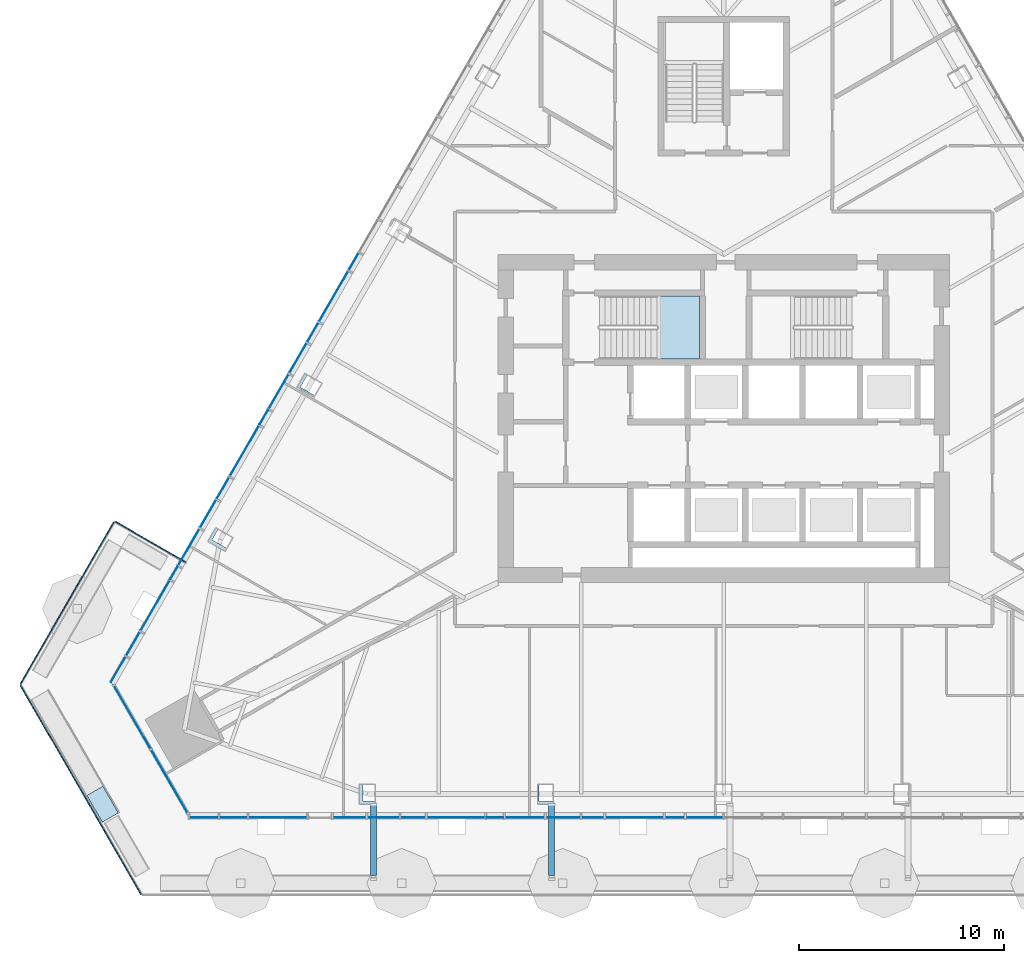
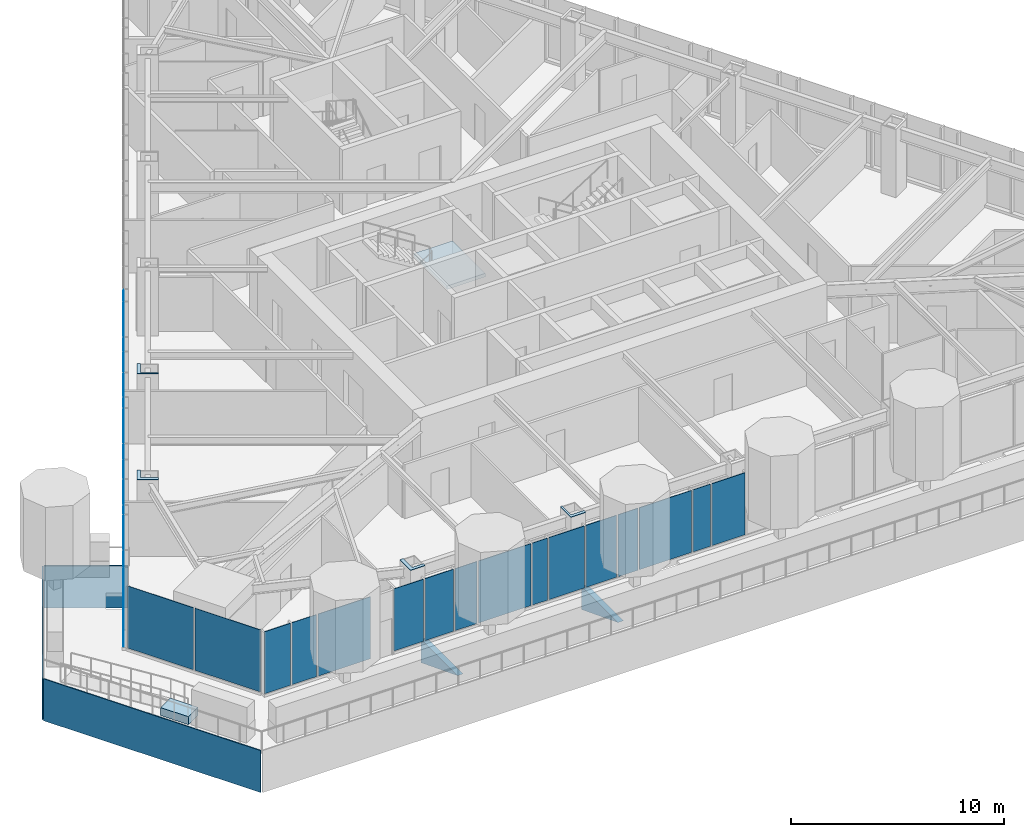
# One storey, part 9 of 24: 39 plates, 2 slabs, 4 elements without a shape of their own.
"""IFC4 building model written with IfcOpenShell, lengths in metres."""

from ifc_helpers import new_model, si_unit, direction, frame, origin, place, context, subcontext, project, spatial, polyline, outline, extrude, material, layer, layer_set, type_object, element, aggregate, save


model = new_model("IFC4")

# Units and contexts
model_context = context("Model", 3, precision=1e-05, world=origin(), true_north=direction((0.0, 1.0)))
body_context = subcontext(model_context, "Body", "Model", "MODEL_VIEW")
ifc_project = project(units=[si_unit("LENGTHUNIT", "METRE"), si_unit("AREAUNIT", "SQUARE_METRE"), si_unit("VOLUMEUNIT", "CUBIC_METRE"), si_unit("PLANEANGLEUNIT", "RADIAN"), si_unit("MASSUNIT", "GRAM", prefix="KILO")], contexts=[model_context])

# Site, building, storey
site_placement = place(None, origin())
site = spatial("IfcSite", under=ifc_project, at=site_placement, CompositionType="ELEMENT")
building_placement = place(site_placement, origin())
building = spatial("IfcBuilding", under=site, at=building_placement, Name="Firuza Gate Tower and Library", CompositionType="ELEMENT")
storey_placement = place(building_placement, frame((0.0, 0.0, 194.800048828125)))
storey = spatial("IfcBuildingStorey", under=building, at=storey_placement, Name="L45", CompositionType="ELEMENT", Elevation=194.800048828125)

# Plates
ifc_material_1 = material(Name="Steel S355", Category="steel")
ifc_layer_1 = layer(ifc_material_1, 0.030029296875)
ifc_layer_set_1 = layer_set([ifc_layer_1], Name="Column infill plate 30 Steel S355")
plate_type_1 = type_object("IfcPlateType", Name="Column infill plate 30 Steel S355", PredefinedType="SHEET", material=ifc_layer_set_1)
placement_1 = place(storey_placement, frame((0.0, 0.0, 3.89990234375)))
element("IfcPlate", 1, at=placement_1, inside=storey, type_object=plate_type_1, Name="Infill plate L45:S1", PredefinedType="SHEET", context=body_context, shape_type="SweptSolid", body=[
    extrude(outline(polyline([(58.0283203125, 56.198974609375), (58.0283203125, 56.3583984375), (57.41259765625, 56.3583984375), (57.41259765625, 57.198974609375), (57.228515625, 57.198974609375), (57.228515625, 56.198974609375), (58.0283203125, 56.198974609375)])), origin(), (0.0, 0.0, 1.0), 0.030029296875),
])
element("IfcPlate", 2, at=placement_1, inside=storey, type_object=plate_type_1, Name="Infill plate L45:S2", PredefinedType="SHEET", context=body_context, shape_type="SweptSolid", body=[
    extrude(outline(polyline([(66.714111328125, 56.198974609375), (66.714111328125, 56.3583984375), (66.00634765625, 56.3583984375), (66.00634765625, 57.198974609375), (65.914306640625, 57.198974609375), (65.914306640625, 56.198974609375), (66.714111328125, 56.198974609375)])), origin(), (0.0, 0.0, 1.0), 0.030029296875),
])
element("IfcPlate", 3, at=placement_1, inside=storey, type_object=plate_type_1, Name="Infill plate L45:W4", PredefinedType="SHEET", context=body_context, shape_type="SweptSolid", body=[
    extrude(outline(polyline([(55.040771484375, 76.031982421875), (55.0869140625, 76.11181640625), (54.35888671875, 76.531982421875), (54.712890625, 77.145263671875), (54.574951171875, 77.224853515625), (54.1748046875, 76.531982421875), (55.040771484375, 76.031982421875)])), origin(), (0.0, 0.0, 1.0), 0.030029296875),
])
element("IfcPlate", 4, at=placement_1, inside=storey, type_object=plate_type_1, Name="Infill plate L45:W5", PredefinedType="SHEET", context=body_context, shape_type="SweptSolid", body=[
    extrude(outline(polyline([(50.697998046875, 68.510009765625), (50.7900390625, 68.66943359375), (50.06201171875, 69.089599609375), (50.3701171875, 69.623046875), (50.23193359375, 69.702880859375), (49.83203125, 69.010009765625), (50.697998046875, 68.510009765625)])), origin(), (0.0, 0.0, 1.0), 0.030029296875),
])

# Curtain wall, plates
ifc_material_2 = material(Name="Aluminium 6063-T6", Category="aluminium")
ifc_layer_2 = layer(ifc_material_2, 0.14990234375)
ifc_layer_set_2 = layer_set([ifc_layer_2], Name="Corner curtain wall, chamfers")
curtain_wall_type_1 = type_object("IfcCurtainWallType", Name="Corner curtain wall, chamfers", PredefinedType="NOTDEFINED", material=ifc_layer_set_2)
placement_2 = place(storey_placement, origin())
curtain_wall_1 = element("IfcCurtainWall", 5, at=placement_2, inside=storey, type_object=curtain_wall_type_1, Name="CW4 L45 SW corner", PredefinedType="NOTDEFINED")
ifc_material_3 = material(Name="Fritted glass", Category="glass")
ifc_layer_3 = layer(ifc_material_3, 0.030029296875)
ifc_layer_set_3 = layer_set([ifc_layer_3], Name="Fritted glass unit, corners")
plate_type_2 = type_object("IfcPlateType", Name="Fritted glass unit, corners", PredefinedType="CURTAIN_PANEL", material=ifc_layer_set_3)
plate_5_placement = place(storey_placement, frame((45.262939453125, 61.9921875, 0.14990234375), z_axis=(-0.866016723041, -0.500015035186, 0.0), x_axis=(0.500015035186, -0.866016723041, 0.0)))
plate_5 = element("IfcPlate", 6, at=plate_5_placement, type_object=plate_type_2, Name="Glass unit", PredefinedType="CURTAIN_PANEL", context=body_context, shape_type="SweptSolid", body=[
    extrude(outline(polyline([(0.0, 0.0), (3.5633694106530625, 0.0), (3.5633694106530625, 3.550048828125), (0.0, 3.550048828125), (0.0, 0.0)])), origin(), (0.0, 0.0, -1.0), 0.030029296875),
])
plate_6_placement = place(storey_placement, frame((47.084716796875, 58.8369140625, 0.14990234375), z_axis=(-0.866016723041, -0.500015035186, 0.0), x_axis=(0.500015035186, -0.866016723041, 0.0)))
plate_6 = element("IfcPlate", 7, at=plate_6_placement, type_object=plate_type_2, Name="Glass unit", PredefinedType="CURTAIN_PANEL", context=body_context, shape_type="SweptSolid", body=[
    extrude(outline(polyline([(0.0, 0.0), (3.5633694106530625, 0.0), (3.5633694106530625, 3.550048828125), (0.0, 3.550048828125), (0.0, 0.0)])), origin(), (0.0, 0.0, -1.0), 0.030029296875),
])
aggregate(curtain_wall_1, [plate_5, plate_6])

ifc_material_4 = material(Name="Aluminium 6063-T6", Category="aluminium")
ifc_layer_4 = layer(ifc_material_4, 0.14990234375)
ifc_layer_set_4 = layer_set([ifc_layer_4], Name="Unitised curtain wall, hotel")
curtain_wall_type_2 = type_object("IfcCurtainWallType", Name="Unitised curtain wall, hotel", PredefinedType="NOTDEFINED", material=ifc_layer_set_4)
curtain_wall_2 = element("IfcCurtainWall", 8, at=placement_2, inside=storey, type_object=curtain_wall_type_2, Name="CW2 L45 S face", PredefinedType="NOTDEFINED")
ifc_material_5 = material(Name="Fritted glass", Category="glass")
ifc_layer_5 = layer(ifc_material_5, 0.030029296875)
ifc_layer_set_5 = layer_set([ifc_layer_5], Name="Fritted glass unit, hotel")
plate_type_3 = type_object("IfcPlateType", Name="Fritted glass unit, hotel", PredefinedType="CURTAIN_PANEL", material=ifc_layer_set_5)
plate_7_placement = place(storey_placement, frame((48.939453125, 55.538818359375, 0.14990234375), z_axis=(0.0, -1.0, 0.0), x_axis=(1.0, 0.0, 0.0)))
plate_7 = element("IfcPlate", 9, at=plate_7_placement, type_object=plate_type_3, Name="Glass unit", PredefinedType="CURTAIN_PANEL", context=body_context, shape_type="SweptSolid", body=[
    extrude(outline(polyline([(0.0, 0.0), (1.4208984375, 0.0), (1.4208984375, 3.550048828125), (0.0, 3.550048828125), (0.0, 0.0)])), origin(), (0.0, 0.0, -1.0), 0.030029296875),
])
plate_8_placement = place(storey_placement, frame((55.959228515625, 55.538818359375, 0.14990234375), z_axis=(0.0, -1.0, 0.0), x_axis=(1.0, 0.0, 0.0)))
plate_8 = element("IfcPlate", 10, at=plate_8_placement, type_object=plate_type_3, Name="Glass unit", PredefinedType="CURTAIN_PANEL", context=body_context, shape_type="SweptSolid", body=[
    extrude(outline(polyline([(0.0, 0.0), (1.600341796875, 0.0), (1.600341796875, 3.550048828125), (0.0, 3.550048828125), (0.0, 0.0)])), origin(), (0.0, 0.0, -1.0), 0.030029296875),
])
plate_9_placement = place(storey_placement, frame((57.6396484375, 55.538818359375, 0.14990234375), z_axis=(0.0, -1.0, 0.0), x_axis=(1.0, 0.0, 0.0)))
plate_9 = element("IfcPlate", 11, at=plate_9_placement, type_object=plate_type_3, Name="Glass unit", PredefinedType="CURTAIN_PANEL", context=body_context, shape_type="SweptSolid", body=[
    extrude(outline(polyline([(0.0, 0.0), (1.544677734375, 0.0), (1.544677734375, 3.550048828125), (0.0, 3.550048828125), (0.0, 0.0)])), origin(), (0.0, 0.0, -1.0), 0.030029296875),
])
plate_10_placement = place(storey_placement, frame((64.34423828125, 55.538818359375, 0.14990234375), z_axis=(0.0, -1.0, 0.0), x_axis=(1.0, 0.0, 0.0)))
plate_10 = element("IfcPlate", 12, at=plate_10_placement, type_object=plate_type_3, Name="Glass unit", PredefinedType="CURTAIN_PANEL", context=body_context, shape_type="SweptSolid", body=[
    extrude(outline(polyline([(0.0, 0.0), (1.91552734375, 0.0), (1.91552734375, 3.550048828125), (0.0, 3.550048828125), (0.0, 0.0)])), origin(), (0.0, 0.0, -1.0), 0.030029296875),
])
plate_11_placement = place(storey_placement, frame((66.33984375, 55.538818359375, 0.14990234375), z_axis=(0.0, -1.0, 0.0), x_axis=(1.0, 0.0, 0.0)))
plate_11 = element("IfcPlate", 13, at=plate_11_placement, type_object=plate_type_3, Name="Glass unit", PredefinedType="CURTAIN_PANEL", context=body_context, shape_type="SweptSolid", body=[
    extrude(outline(polyline([(0.0, 0.0), (1.668212890625, 0.0), (1.668212890625, 3.550048828125), (0.0, 3.550048828125), (0.0, 0.0)])), origin(), (0.0, 0.0, -1.0), 0.030029296875),
])
plate_12_placement = place(storey_placement, frame((73.16796875, 55.538818359375, 0.14990234375), z_axis=(0.0, -1.0, 0.0), x_axis=(1.0, 0.0, 0.0)))
plate_12 = element("IfcPlate", 14, at=plate_12_placement, type_object=plate_type_3, Name="Glass unit", PredefinedType="CURTAIN_PANEL", context=body_context, shape_type="SweptSolid", body=[
    extrude(outline(polyline([(0.0, 0.0), (1.7919921875, 0.0), (1.7919921875, 3.550048828125), (0.0, 3.550048828125), (0.0, 0.0)])), origin(), (0.0, 0.0, -1.0), 0.030029296875),
])

curtain_wall_3 = element("IfcCurtainWall", 15, at=placement_2, inside=storey, type_object=curtain_wall_type_2, Name="CW2 L45 W face", PredefinedType="NOTDEFINED")
plate_13_placement = place(storey_placement, frame((54.650146484375, 78.675537109375, 0.14990234375), z_axis=(-0.866073490468, 0.49991670217, 0.0), x_axis=(-0.49991670217, -0.866073490468, 0.0)))
plate_13 = element("IfcPlate", 16, at=plate_13_placement, type_object=plate_type_3, Name="Glass unit", PredefinedType="CURTAIN_PANEL", context=body_context, shape_type="SweptSolid", body=[
    extrude(outline(polyline([(0.0, 0.0), (1.668246672656861, 0.0), (1.668246672656861, 3.550048828125), (0.0, 3.550048828125), (0.0, 0.0)])), origin(), (0.0, 0.0, -1.0), 0.030029296875),
])
plate_14_placement = place(storey_placement, frame((53.776123046875, 77.161376953125, 0.14990234375), z_axis=(-0.866030650962, 0.499990911512, 0.0), x_axis=(-0.499990911512, -0.866030650962, 0.0)))
plate_14 = element("IfcPlate", 17, at=plate_14_placement, type_object=plate_type_3, Name="Glass unit", PredefinedType="CURTAIN_PANEL", context=body_context, shape_type="SweptSolid", body=[
    extrude(outline(polyline([(0.0, 0.0), (1.9155621628777642, 0.0), (1.9155621628777642, 3.550048828125), (0.0, 3.550048828125), (0.0, 0.0)])), origin(), (0.0, 0.0, -1.0), 0.030029296875),
])
plate_15_placement = place(storey_placement, frame((50.23828125, 71.03369140625, 0.14990234375), z_axis=(-0.865977637699, 0.500082724161, 0.0), x_axis=(-0.500082724161, -0.865977637699, 0.0)))
plate_15 = element("IfcPlate", 18, at=plate_15_placement, type_object=plate_type_3, Name="Glass unit", PredefinedType="CURTAIN_PANEL", context=body_context, shape_type="SweptSolid", body=[
    extrude(outline(polyline([(0.0, 0.0), (1.544666312549146, 0.0), (1.544666312549146, 3.550048828125), (0.0, 3.550048828125), (0.0, 0.0)])), origin(), (0.0, 0.0, -1.0), 0.030029296875),
])
plate_16_placement = place(storey_placement, frame((49.426025390625, 69.626708984375, 0.14990234375), z_axis=(-0.866002171892, 0.500040236659, 0.0), x_axis=(-0.500040236659, -0.866002171892, 0.0)))
plate_16 = element("IfcPlate", 19, at=plate_16_placement, type_object=plate_type_3, Name="Glass unit", PredefinedType="CURTAIN_PANEL", context=body_context, shape_type="SweptSolid", body=[
    extrude(outline(polyline([(0.0, 0.0), (2.039386665037313, 0.0), (2.039386665037313, 3.550048828125), (0.0, 3.550048828125), (0.0, 0.0)])), origin(), (0.0, 0.0, -1.0), 0.030029296875),
])
plate_17_placement = place(storey_placement, frame((45.826416015625, 63.39208984375, 0.14990234375), z_axis=(-0.865982457891, 0.500074377092, 0.0), x_axis=(-0.500074377092, -0.865982457891, 0.0)))
plate_17 = element("IfcPlate", 20, at=plate_17_placement, type_object=plate_type_3, Name="Glass unit", PredefinedType="CURTAIN_PANEL", context=body_context, shape_type="SweptSolid", body=[
    extrude(outline(polyline([(0.0, 0.0), (1.4211753129752382, 0.0), (1.4211753129752382, 3.550048828125), (0.0, 3.550048828125), (0.0, 0.0)])), origin(), (0.0, 0.0, -1.0), 0.030029296875),
])

# Slab
ifc_material_6 = material(Name="Concrete C40/50", Category="concrete")
ifc_layer_6 = layer(ifc_material_6, 0.449951171875)
ifc_layer_set_6 = layer_set([ifc_layer_6], Name="Garden deck 450")
slab_type_1 = type_object("IfcSlabType", Name="Garden deck 450", PredefinedType="FLOOR", material=ifc_layer_set_6)
element("IfcSlab", 21, at=placement_2, inside=storey, type_object=slab_type_1, Name="Garden deck 5", PredefinedType="FLOOR", context=body_context, shape_type="SweptSolid", body=[
    extrude(outline(polyline([(43.959716796875, 56.629638671875), (44.71044921875, 55.329345703125), (45.489990234375, 55.779296875), (44.739013671875, 57.07958984375), (43.959716796875, 56.629638671875)])), origin(), (0.0, 0.0, 1.0), 0.449951171875),
])

# Plate
ifc_material_7 = material(Name="Glazed ceramic tile")
ifc_layer_7 = layer(ifc_material_7, 0.030029296875)
ifc_layer_set_7 = layer_set([ifc_layer_7], Name="Opaque ceramic panel, hotel")
plate_type_4 = type_object("IfcPlateType", Name="Opaque ceramic panel, hotel", PredefinedType="CURTAIN_PANEL", material=ifc_layer_set_7)
plate_18_placement = place(storey_placement, frame((50.4404296875, 55.538818359375, 0.14990234375), z_axis=(0.0, -1.0, 0.0), x_axis=(1.0, 0.0, 0.0)))
plate_18 = element("IfcPlate", 22, at=plate_18_placement, type_object=plate_type_4, Name="Opaque ceramic panel", PredefinedType="CURTAIN_PANEL", context=body_context, shape_type="SweptSolid", body=[
    extrude(outline(polyline([(0.0, 0.0), (1.328857421875, 0.0), (1.328857421875, 3.550048828125), (0.0, 3.550048828125), (0.0, 0.0)])), origin(), (0.0, 0.0, -1.0), 0.030029296875),
])

plate_19_placement = place(storey_placement, frame((51.849365234375, 55.538818359375, 0.14990234375), z_axis=(0.0, -1.0, 0.0), x_axis=(1.0, 0.0, 0.0)))
plate_19 = element("IfcPlate", 23, at=plate_19_placement, type_object=plate_type_4, Name="Opaque ceramic panel", PredefinedType="CURTAIN_PANEL", context=body_context, shape_type="SweptSolid", body=[
    extrude(outline(polyline([(0.0, 0.0), (2.830078125, 0.0), (2.830078125, 3.550048828125), (0.0, 3.550048828125), (0.0, 0.0)])), origin(), (0.0, 0.0, -1.0), 0.030029296875),
])

plate_20_placement = place(storey_placement, frame((59.26416015625, 55.538818359375, 0.14990234375), z_axis=(0.0, -1.0, 0.0), x_axis=(1.0, 0.0, 0.0)))
plate_20 = element("IfcPlate", 24, at=plate_20_placement, type_object=plate_type_4, Name="Opaque ceramic panel", PredefinedType="CURTAIN_PANEL", context=body_context, shape_type="SweptSolid", body=[
    extrude(outline(polyline([(0.0, 0.0), (1.195556640625, 0.0), (1.195556640625, 3.550048828125), (0.0, 3.550048828125), (0.0, 0.0)])), origin(), (0.0, 0.0, -1.0), 0.030029296875),
])

plate_21_placement = place(storey_placement, frame((60.53955078125, 55.538818359375, 0.14990234375), z_axis=(0.0, -1.0, 0.0), x_axis=(1.0, 0.0, 0.0)))
plate_21 = element("IfcPlate", 25, at=plate_21_placement, type_object=plate_type_4, Name="Opaque ceramic panel", PredefinedType="CURTAIN_PANEL", context=body_context, shape_type="SweptSolid", body=[
    extrude(outline(polyline([(0.0, 0.0), (2.820068359375, 0.0), (2.820068359375, 3.550048828125), (0.0, 3.550048828125), (0.0, 0.0)])), origin(), (0.0, 0.0, -1.0), 0.030029296875),
])

plate_22_placement = place(storey_placement, frame((63.439697265625, 55.538818359375, 0.14990234375), z_axis=(0.0, -1.0, 0.0), x_axis=(1.0, 0.0, 0.0)))
plate_22 = element("IfcPlate", 26, at=plate_22_placement, type_object=plate_type_4, Name="Opaque ceramic panel", PredefinedType="CURTAIN_PANEL", context=body_context, shape_type="SweptSolid", body=[
    extrude(outline(polyline([(0.0, 0.0), (0.824462890625, 0.0), (0.824462890625, 3.550048828125), (0.0, 3.550048828125), (0.0, 0.0)])), origin(), (0.0, 0.0, -1.0), 0.030029296875),
])

plate_23_placement = place(storey_placement, frame((68.088134765625, 55.538818359375, 0.14990234375), z_axis=(0.0, -1.0, 0.0), x_axis=(1.0, 0.0, 0.0)))
plate_23 = element("IfcPlate", 27, at=plate_23_placement, type_object=plate_type_4, Name="Opaque ceramic panel", PredefinedType="CURTAIN_PANEL", context=body_context, shape_type="SweptSolid", body=[
    extrude(outline(polyline([(0.0, 0.0), (1.07177734375, 0.0), (1.07177734375, 3.550048828125), (0.0, 3.550048828125), (0.0, 0.0)])), origin(), (0.0, 0.0, -1.0), 0.030029296875),
])

plate_24_placement = place(storey_placement, frame((69.23974609375, 55.538818359375, 0.14990234375), z_axis=(0.0, -1.0, 0.0), x_axis=(1.0, 0.0, 0.0)))
plate_24 = element("IfcPlate", 28, at=plate_24_placement, type_object=plate_type_4, Name="Opaque ceramic panel", PredefinedType="CURTAIN_PANEL", context=body_context, shape_type="SweptSolid", body=[
    extrude(outline(polyline([(0.0, 0.0), (2.820068359375, 0.0), (2.820068359375, 3.550048828125), (0.0, 3.550048828125), (0.0, 0.0)])), origin(), (0.0, 0.0, -1.0), 0.030029296875),
])

plate_25_placement = place(storey_placement, frame((72.139892578125, 55.538818359375, 0.14990234375), z_axis=(0.0, -1.0, 0.0), x_axis=(1.0, 0.0, 0.0)))
plate_25 = element("IfcPlate", 29, at=plate_25_placement, type_object=plate_type_4, Name="Opaque ceramic panel", PredefinedType="CURTAIN_PANEL", context=body_context, shape_type="SweptSolid", body=[
    extrude(outline(polyline([(0.0, 0.0), (0.9482421875, 0.0), (0.9482421875, 3.550048828125), (0.0, 3.550048828125), (0.0, 0.0)])), origin(), (0.0, 0.0, -1.0), 0.030029296875),
])

aggregate(curtain_wall_2, [plate_7, plate_18, plate_19, plate_8, plate_9, plate_20, plate_21, plate_22, plate_10, plate_11, plate_23, plate_24, plate_25, plate_12])

plate_26_placement = place(storey_placement, frame((57.190185546875, 83.07470703125, 0.14990234375), z_axis=(-0.865984028497, 0.500071657253, 0.0), x_axis=(-0.500071657253, -0.865984028497, 0.0)))
plate_26 = element("IfcPlate", 30, at=plate_26_placement, type_object=plate_type_4, Name="Opaque ceramic panel", PredefinedType="CURTAIN_PANEL", context=body_context, shape_type="SweptSolid", body=[
    extrude(outline(polyline([(0.0, 0.0), (0.9481063101126482, 0.0), (0.9481063101126482, 3.550048828125), (0.0, 3.550048828125), (0.0, 0.0)])), origin(), (0.0, 0.0, -1.0), 0.030029296875),
])

plate_27_placement = place(storey_placement, frame((56.676025390625, 82.184326171875, 0.14990234375), z_axis=(-0.866034203951, 0.499984757355, 0.0), x_axis=(-0.499984757355, -0.866034203951, 0.0)))
plate_27 = element("IfcPlate", 31, at=plate_27_placement, type_object=plate_type_4, Name="Opaque ceramic panel", PredefinedType="CURTAIN_PANEL", context=body_context, shape_type="SweptSolid", body=[
    extrude(outline(polyline([(0.0, 0.0), (2.8199101845324175, 0.0), (2.8199101845324175, 3.550048828125001), (0.0, 3.550048828125001), (0.0, 0.0)])), origin(), (0.0, 0.0, -1.0), 0.030029296875),
])

plate_28_placement = place(storey_placement, frame((55.22607421875, 79.6728515625, 0.14990234375), z_axis=(-0.866033858845, 0.49998535512, 0.0), x_axis=(-0.49998535512, -0.866033858845, 0.0)))
plate_28 = element("IfcPlate", 32, at=plate_28_placement, type_object=plate_type_4, Name="Opaque ceramic panel", PredefinedType="CURTAIN_PANEL", context=body_context, shape_type="SweptSolid", body=[
    extrude(outline(polyline([(0.0, 0.0), (1.0718087367715181, 0.0), (1.0718087367715181, 3.550048828125), (0.0, 3.550048828125), (0.0, 0.0)])), origin(), (0.0, 0.0, -1.0), 0.030029296875),
])

plate_29_placement = place(storey_placement, frame((52.7783203125, 75.43310546875, 0.14990234375), z_axis=(-0.865993292597, 0.500055614084, 0.0), x_axis=(-0.500055614084, -0.865993292597, 0.0)))
plate_29 = element("IfcPlate", 33, at=plate_29_placement, type_object=plate_type_4, Name="Opaque ceramic panel", PredefinedType="CURTAIN_PANEL", context=body_context, shape_type="SweptSolid", body=[
    extrude(outline(polyline([(0.0, 0.0), (0.8246153107993742, 0.0), (0.8246153107993742, 3.550048828125), (0.0, 3.550048828125), (0.0, 0.0)])), origin(), (0.0, 0.0, -1.0), 0.030029296875),
])

plate_30_placement = place(storey_placement, frame((52.325927734375, 74.64990234375, 0.14990234375), z_axis=(-0.866055844559, 0.499947271324, 0.0), x_axis=(-0.499947271324, -0.866055844559, 0.0)))
plate_30 = element("IfcPlate", 34, at=plate_30_placement, type_object=plate_type_4, Name="Opaque ceramic panel", PredefinedType="CURTAIN_PANEL", context=body_context, shape_type="SweptSolid", body=[
    extrude(outline(polyline([(0.0, 0.0), (2.820121621306016, 0.0), (2.820121621306016, 3.550048828125), (0.0, 3.550048828125), (0.0, 0.0)])), origin(), (0.0, 0.0, -1.0), 0.030029296875),
])

plate_31_placement = place(storey_placement, frame((50.8759765625, 72.13818359375, 0.14990234375), z_axis=(-0.866022320763, 0.500005339912, 0.0), x_axis=(-0.500005339912, -0.866022320763, 0.0)))
plate_31 = element("IfcPlate", 35, at=plate_31_placement, type_object=plate_type_4, Name="Opaque ceramic panel", PredefinedType="CURTAIN_PANEL", context=body_context, shape_type="SweptSolid", body=[
    extrude(outline(polyline([(0.0, 0.0), (1.1952997344089578, 0.0), (1.1952997344089578, 3.5500488281249996), (0.0, 3.5500488281249996), (0.0, 0.0)])), origin(), (0.0, 0.0, -1.0), 0.030029296875),
])

plate_32_placement = place(storey_placement, frame((48.3662109375, 67.791259765625, 0.14990234375), z_axis=(-0.865982457891, 0.500074377092, 0.0), x_axis=(-0.500074377092, -0.865982457891, 0.0)))
plate_32 = element("IfcPlate", 36, at=plate_32_placement, type_object=plate_type_4, Name="Opaque ceramic panel", PredefinedType="CURTAIN_PANEL", context=body_context, shape_type="SweptSolid", body=[
    extrude(outline(polyline([(0.0, 0.0), (0.700579379635681, 0.0), (0.700579379635681, 3.550048828125), (0.0, 3.550048828125), (0.0, 0.0)])), origin(), (0.0, 0.0, -1.0), 0.030029296875),
])

plate_33_placement = place(storey_placement, frame((47.975830078125, 67.115234375, 0.14990234375), z_axis=(-0.866055844559, 0.499947271324, 0.0), x_axis=(-0.499947271324, -0.866055844559, 0.0)))
plate_33 = element("IfcPlate", 37, at=plate_33_placement, type_object=plate_type_4, Name="Opaque ceramic panel", PredefinedType="CURTAIN_PANEL", context=body_context, shape_type="SweptSolid", body=[
    extrude(outline(polyline([(0.0, 0.0), (2.820121621306016, 0.0), (2.820121621306016, 3.550048828125), (0.0, 3.550048828125), (0.0, 0.0)])), origin(), (0.0, 0.0, -1.0), 0.030029296875),
])

plate_34_placement = place(storey_placement, frame((46.52587890625, 64.603515625, 0.14990234375), z_axis=(-0.866012943183, 0.500021581774, 0.0), x_axis=(-0.500021581774, -0.866012943183, 0.0)))
plate_34 = element("IfcPlate", 38, at=plate_34_placement, type_object=plate_type_4, Name="Opaque ceramic panel", PredefinedType="CURTAIN_PANEL", context=body_context, shape_type="SweptSolid", body=[
    extrude(outline(polyline([(0.0, 0.0), (1.318790732563711, 0.0), (1.318790732563711, 3.550048828125), (0.0, 3.550048828125), (0.0, 0.0)])), origin(), (0.0, 0.0, -1.0), 0.030029296875),
])

aggregate(curtain_wall_3, [plate_26, plate_27, plate_28, plate_13, plate_14, plate_29, plate_30, plate_31, plate_15, plate_16, plate_32, plate_33, plate_34, plate_17])

# Stair, slab
ifc_material_8 = material(Name="Concrete C35/45", Category="concrete")
stair_type = type_object("IfcStairType", Name="Exit stair ST7", PredefinedType="HALF_TURN_STAIR", material=ifc_material_8)
stair = element("IfcStair", 39, at=placement_2, inside=storey, type_object=stair_type, Name="L45 Stair ST1", PredefinedType="HALF_TURN_STAIR")
ifc_material_9 = material(Name="Concrete C35/45", Category="concrete")
ifc_layer_8 = layer(ifc_material_9, 0.199951171875)
ifc_layer_set_8 = layer_set([ifc_layer_8], Name="Stair landing 200")
slab_type_2 = type_object("IfcSlabType", Name="Stair landing 200", PredefinedType="LANDING", material=ifc_layer_set_8)
slab_2_placement = place(storey_placement, frame((0.0, 0.0, 1.75)))
slab_2 = element("IfcSlab", 40, at=slab_2_placement, type_object=slab_type_2, Name="ST1 landing 1", PredefinedType="LANDING", context=body_context, shape_type="SweptSolid", body=[
    extrude(outline(polyline([(71.739990234375, 77.89990234375), (73.81005859375, 77.89990234375), (73.81005859375, 80.97998046875), (71.739990234375, 80.97998046875), (71.739990234375, 77.89990234375)])), origin(), (0.0, 0.0, 1.0), 0.199951171875),
])
aggregate(stair, [slab_2])

# Plates
ifc_material_10 = material(Name="Steel S355", Category="steel")
ifc_layer_9 = layer(ifc_material_10, 0.300048828125)
ifc_layer_set_9 = layer_set([ifc_layer_9], Name="Tray bracket web 300 Steel S355")
plate_type_5 = type_object("IfcPlateType", Name="Tray bracket web 300 Steel S355", PredefinedType="SHEET", material=ifc_layer_set_9)
for number, where, z_axis, x_axis, name in (
    (41, (58.077880859375, 56.1640625, -0.199951171875), (1.0, 0.0, 0.0), (0.0, -1.0, 0.0), "Tray bracket web L45 col:L44:S1"),
    (42, (66.763916015625, 56.1640625, -0.199951171875), (1.0, 0.0, 0.0), (0.0, -1.0, 0.0), "Tray bracket web L45 col:L44:S2"),
):
    element("IfcPlate", number, at=place(storey_placement, frame(where, z_axis=z_axis, x_axis=x_axis)), inside=storey, type_object=plate_type_5, Name=name, PredefinedType="SHEET", context=body_context, shape_type="SweptSolid", body=[
        extrude(outline(polyline([(0.0, 0.0), (3.43017578125, 0.0), (0.0, 1.333984375), (0.0, 0.0)])), origin(), (0.0, 0.0, -1.0), 0.300048828125),
    ])
ifc_material_11 = material(Name="Aluminium 6063-T6", Category="aluminium")
ifc_layer_10 = layer(ifc_material_11, 0.050048828125)
ifc_layer_set_10 = layer_set([ifc_layer_10], Name="Tray fascia panel 50")
plate_type_6 = type_object("IfcPlateType", Name="Tray fascia panel 50", PredefinedType="SHEET", material=ifc_layer_set_10)
plate_35_placement = place(storey_placement, frame((45.248046875, 69.970947265625, -2.400146484375), z_axis=(-0.866071736773, 0.499919740322, 0.0), x_axis=(-0.499919740322, -0.866071736773, 0.0)))
element("IfcPlate", 43, at=plate_35_placement, inside=storey, type_object=plate_type_6, Name="Tray fascia L45 1", PredefinedType="SHEET", context=body_context, shape_type="SweptSolid", body=[
    extrude(outline(polyline([(0.0, 0.0), (9.105465509716032, 0.0), (9.105465509716032, 2.400146484375), (0.0, 2.400146484375), (0.0, 0.0)])), origin(), (0.0, 0.0, -1.0), 0.050048828125),
])
plate_36_placement = place(storey_placement, frame((40.696044921875, 61.98291015625, -2.400146484375), z_axis=(-0.866031718744, -0.49998906201, 0.0), x_axis=(0.49998906201, -0.866031718744, 0.0)))
element("IfcPlate", 44, at=plate_36_placement, inside=storey, type_object=plate_type_6, Name="Tray fascia L45 2", PredefinedType="SHEET", context=body_context, shape_type="SweptSolid", body=[
    extrude(outline(polyline([(0.0, 0.0), (11.758069719308214, 0.0), (11.758069719308214, 2.4001464843750004), (0.0, 2.4001464843750004), (0.0, 0.0)])), origin(), (0.0, 0.0, -1.0), 0.050048828125),
])
plate_37_placement = place(storey_placement, frame((48.77001953125, 68.030029296875, -2.400146484375), z_axis=(0.49999779889, 0.866026674592, 0.0), x_axis=(-0.866026674592, 0.49999779889, 0.0)))
element("IfcPlate", 45, at=plate_37_placement, inside=storey, type_object=plate_type_6, Name="Tray fascia L45 12", PredefinedType="SHEET", context=body_context, shape_type="SweptSolid", body=[
    extrude(outline(polyline([(0.0, 0.0), (3.9399587508162695, 0.0), (3.9399587508162695, 2.400146484375), (0.0, 2.400146484375), (0.0, 0.0)])), origin(), (0.0, 0.0, -1.0), 0.050048828125),
])

save(model, "model.ifc")
